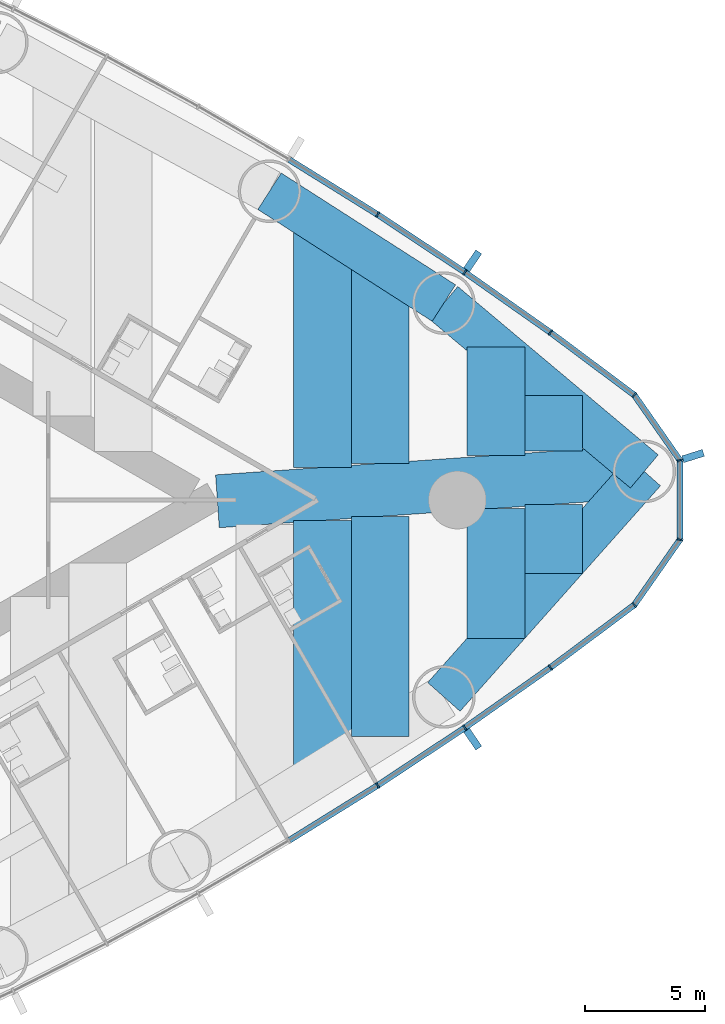
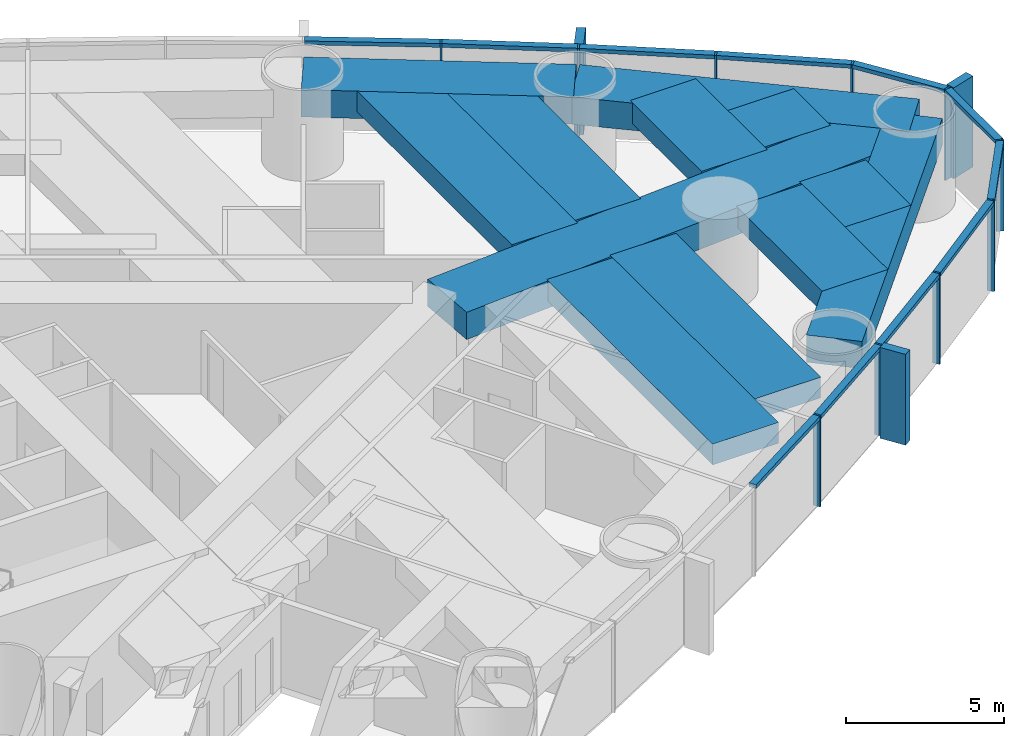
# One storey, part 8 of 18: 24 members, 12 beams, 1 element without a shape of its own.
"""IFC4 building model written with IfcOpenShell, lengths in metres."""

from ifc_helpers import new_model, si_unit, direction, frame, origin, origin_2d, place, context, subcontext, project, spatial, rectangle, extrude, material, material_profile, profile_set, type_object, element, aggregate, save


model = new_model("IFC4")

# Units and contexts
model_context = context("Model", 3, precision=1e-05, world=origin(), true_north=direction((0.0, 1.0)))
body_context = subcontext(model_context, "Body", "Model", "MODEL_VIEW")
ifc_project = project(units=[si_unit("LENGTHUNIT", "METRE"), si_unit("AREAUNIT", "SQUARE_METRE"), si_unit("VOLUMEUNIT", "CUBIC_METRE"), si_unit("PLANEANGLEUNIT", "RADIAN"), si_unit("MASSUNIT", "GRAM", prefix="KILO")], contexts=[model_context])

# Site, building, storey
site_placement = place(None, origin())
site = spatial("IfcSite", under=ifc_project, at=site_placement, CompositionType="ELEMENT")
building_placement = place(site_placement, origin())
building = spatial("IfcBuilding", under=site, at=building_placement, Name="Lancet Gate Hotel", CompositionType="ELEMENT")
storey_placement = place(building_placement, frame((0.0, 0.0, 97.60009765625)))
storey = spatial("IfcBuildingStorey", under=building, at=storey_placement, Name="L25", CompositionType="ELEMENT", Elevation=97.60009765625)

# Curtain wall, members
ifc_material_1 = material(Name="Aluminium curtain wall", Category="aluminium")
curtain_wall_type = type_object("IfcCurtainWallType", Name="Tower unitised curtain wall", PredefinedType="USERDEFINED", material=ifc_material_1)
curtain_wall_placement = place(storey_placement, origin())
curtain_wall = element("IfcCurtainWall", 1, at=curtain_wall_placement, inside=storey, type_object=curtain_wall_type, Name="T2 L25 curtain wall 1", ObjectType="UNITISED CURTAIN WALL", PredefinedType="USERDEFINED")
ifc_material_2 = material(Name="Aluminium mullion", Category="aluminium")
ifc_material_profile_1 = material_profile(ifc_material_2, rectangle(XDim=0.06494140625, YDim=0.25, at=origin_2d()), Name="MULLION 65x250")
ifc_profile_set_1 = profile_set([ifc_material_profile_1], Name="Aluminium mullion")
member_type_1 = type_object("IfcMemberType", Name="Aluminium mullion 65x250", PredefinedType="MULLION", material=ifc_profile_set_1)
member_1_placement = place(storey_placement, frame((58.188720703125, -11.8603515625, 0.0), z_axis=(0.0, 0.0, 1.0), x_axis=(0.841736224144, 0.539888996891, 0.0)))
member_1 = element("IfcMember", 2, at=member_1_placement, type_object=member_type_1, Name="T2 L25 curtain wall 1 mullion 13", PredefinedType="MULLION", context=body_context, shape_type="SweptSolid", body=[
    extrude(rectangle(XDim=0.06494140625, YDim=0.25, at=origin_2d()), origin(), (0.0, 0.0, 1.0), 3.5),
])
member_2_placement = place(storey_placement, frame((61.814208984375, -9.461669921875, 0.0), z_axis=(0.0, 0.0, 1.0), x_axis=(0.826065510491, 0.563574105489, 0.0)))
member_2 = element("IfcMember", 3, at=member_2_placement, type_object=member_type_1, Name="T2 L25 curtain wall 1 mullion 14", PredefinedType="MULLION", context=body_context, shape_type="SweptSolid", body=[
    extrude(rectangle(XDim=0.06494140625, YDim=0.25, at=origin_2d()), origin(), (0.0, 0.0, 1.0), 3.5),
])
member_3_placement = place(storey_placement, frame((65.370361328125, -6.9609375, 0.0), z_axis=(0.0, 0.0, 1.0), x_axis=(0.809728529035, 0.586804660229, 0.0)))
member_3 = element("IfcMember", 4, at=member_3_placement, type_object=member_type_1, Name="T2 L25 curtain wall 1 mullion 15", PredefinedType="MULLION", context=body_context, shape_type="SweptSolid", body=[
    extrude(rectangle(XDim=0.06494140625, YDim=0.25, at=origin_2d()), origin(), (0.0, 0.0, 1.0), 3.5),
])
member_4_placement = place(storey_placement, frame((68.853759765625, -4.360107421875, 0.0), z_axis=(0.0, 0.0, 1.0), x_axis=(0.711610374907, 0.702574319432, 0.0)))
member_4 = element("IfcMember", 5, at=member_4_placement, type_object=member_type_1, Name="T2 L25 curtain wall 1 mullion 16", PredefinedType="MULLION", context=body_context, shape_type="SweptSolid", body=[
    extrude(rectangle(XDim=0.06494140625, YDim=0.25, at=origin_2d()), origin(), (0.0, 0.0, 1.0), 3.5),
])
member_5_placement = place(storey_placement, frame((70.747314453125, -1.652099609375, 0.0), z_axis=(0.0, 0.0, 1.0), x_axis=(0.300384890639, 0.953818073574, 0.0)))
member_5 = element("IfcMember", 6, at=member_5_placement, type_object=member_type_1, Name="T2 L25 curtain wall 1 mullion 17", PredefinedType="MULLION", context=body_context, shape_type="SweptSolid", body=[
    extrude(rectangle(XDim=0.06494140625, YDim=0.25, at=origin_2d()), origin(), (0.0, 0.0, 1.0), 3.5),
])
member_6_placement = place(storey_placement, frame((70.747314453125, 1.652099609375, 0.0), z_axis=(0.0, 0.0, 1.0), x_axis=(-0.300384890639, 0.953818073574, 0.0)))
member_6 = element("IfcMember", 7, at=member_6_placement, type_object=member_type_1, Name="T2 L25 curtain wall 1 mullion 18", PredefinedType="MULLION", context=body_context, shape_type="SweptSolid", body=[
    extrude(rectangle(XDim=0.06494140625, YDim=0.25, at=origin_2d()), origin(), (0.0, 0.0, 1.0), 3.5),
])
member_7_placement = place(storey_placement, frame((68.853759765625, 4.360107421875, 0.0), z_axis=(0.0, 0.0, 1.0), x_axis=(-0.711610374907, 0.702574319432, 0.0)))
member_7 = element("IfcMember", 8, at=member_7_placement, type_object=member_type_1, Name="T2 L25 curtain wall 1 mullion 19", PredefinedType="MULLION", context=body_context, shape_type="SweptSolid", body=[
    extrude(rectangle(XDim=0.06494140625, YDim=0.25, at=origin_2d()), origin(), (0.0, 0.0, 1.0), 3.5),
])
member_8_placement = place(storey_placement, frame((65.370361328125, 6.9609375, 0.0), z_axis=(0.0, 0.0, 1.0), x_axis=(-0.809728529035, 0.586804660229, 0.0)))
member_8 = element("IfcMember", 9, at=member_8_placement, type_object=member_type_1, Name="T2 L25 curtain wall 1 mullion 20", PredefinedType="MULLION", context=body_context, shape_type="SweptSolid", body=[
    extrude(rectangle(XDim=0.06494140625, YDim=0.25, at=origin_2d()), origin(), (0.0, 0.0, 1.0), 3.5),
])
member_9_placement = place(storey_placement, frame((61.814208984375, 9.461669921875, 0.0), z_axis=(0.0, 0.0, 1.0), x_axis=(-0.826065510491, 0.563574105489, 0.0)))
member_9 = element("IfcMember", 10, at=member_9_placement, type_object=member_type_1, Name="T2 L25 curtain wall 1 mullion 21", PredefinedType="MULLION", context=body_context, shape_type="SweptSolid", body=[
    extrude(rectangle(XDim=0.06494140625, YDim=0.25, at=origin_2d()), origin(), (0.0, 0.0, 1.0), 3.5),
])
member_10_placement = place(storey_placement, frame((58.188720703125, 11.8603515625, 0.0), z_axis=(0.0, 0.0, 1.0), x_axis=(-0.841736224144, 0.539888996891, 0.0)))
member_10 = element("IfcMember", 11, at=member_10_placement, type_object=member_type_1, Name="T2 L25 curtain wall 1 mullion 22", PredefinedType="MULLION", context=body_context, shape_type="SweptSolid", body=[
    extrude(rectangle(XDim=0.06494140625, YDim=0.25, at=origin_2d()), origin(), (0.0, 0.0, 1.0), 3.5),
])
ifc_material_3 = material(Name="Aluminium transom", Category="aluminium")
ifc_material_profile_2 = material_profile(ifc_material_3, rectangle(XDim=0.25, YDim=0.14990234375, at=origin_2d()), Name="TRANSOM 250x150")
ifc_profile_set_2 = profile_set([ifc_material_profile_2], Name="Aluminium transom")
member_type_2 = type_object("IfcMemberType", Name="Aluminium transom 250x150", PredefinedType="USERDEFINED", material=ifc_profile_set_2)
member_11_placement = place(storey_placement, frame((54.52392578125, -14.13818359375, 3.4248046875), z_axis=(0.849308812566, 0.527896335371, 0.0), x_axis=(-0.527896335371, 0.849308812566, 0.0)))
member_11 = element("IfcMember", 12, at=member_11_placement, type_object=member_type_2, Name="T2 L25 curtain wall 1 transom 12", ObjectType="TRANSOM", PredefinedType="USERDEFINED", context=body_context, shape_type="SweptSolid", body=[
    extrude(rectangle(XDim=0.25, YDim=0.14990234375, at=origin_2d()), origin(), (0.0, 0.0, 1.0), 4.282470703125),
])
member_12_placement = place(storey_placement, frame((58.2158203125, -11.842529296875, 3.4248046875), z_axis=(0.833966159038, 0.551815590192, 0.0), x_axis=(-0.551815590192, 0.833966159038, 0.0)))
member_12 = element("IfcMember", 13, at=member_12_placement, type_object=member_type_2, Name="T2 L25 curtain wall 1 transom 13", ObjectType="TRANSOM", PredefinedType="USERDEFINED", context=body_context, shape_type="SweptSolid", body=[
    extrude(rectangle(XDim=0.25, YDim=0.14990234375, at=origin_2d()), origin(), (0.0, 0.0, 1.0), 4.2822265625),
])
member_13_placement = place(storey_placement, frame((61.8408203125, -9.44287109375, 3.4248046875), z_axis=(0.817987243547, 0.57523635959, 0.0), x_axis=(-0.57523635959, 0.817987243547, 0.0)))
member_13 = element("IfcMember", 14, at=member_13_placement, type_object=member_type_2, Name="T2 L25 curtain wall 1 transom 14", ObjectType="TRANSOM", PredefinedType="USERDEFINED", context=body_context, shape_type="SweptSolid", body=[
    extrude(rectangle(XDim=0.25, YDim=0.14990234375, at=origin_2d()), origin(), (0.0, 0.0, 1.0), 4.282470703125),
])
member_14_placement = place(storey_placement, frame((65.396240234375, -6.94140625, 3.4248046875), z_axis=(0.801311559064, 0.598247261014, 0.0), x_axis=(-0.598247261014, 0.801311559064, 0.0)))
member_14 = element("IfcMember", 15, at=member_14_placement, type_object=member_type_2, Name="T2 L25 curtain wall 1 transom 15", ObjectType="TRANSOM", PredefinedType="USERDEFINED", context=body_context, shape_type="SweptSolid", body=[
    extrude(rectangle(XDim=0.25, YDim=0.14990234375, at=origin_2d()), origin(), (0.0, 0.0, 1.0), 4.282470703125),
])
member_15_placement = place(storey_placement, frame((68.87255859375, -4.33349609375, 3.4248046875), z_axis=(0.573017137751, 0.819543384967, 0.0), x_axis=(-0.819543384967, 0.573017137751, 0.0)))
member_15 = element("IfcMember", 16, at=member_15_placement, type_object=member_type_2, Name="T2 L25 curtain wall 1 transom 16", ObjectType="TRANSOM", PredefinedType="USERDEFINED", context=body_context, shape_type="SweptSolid", body=[
    extrude(rectangle(XDim=0.25, YDim=0.14990234375, at=origin_2d()), origin(), (0.0, 0.0, 1.0), 3.2392578125),
])
member_16_placement = place(storey_placement, frame((70.747314453125, -1.61962890625, 3.4248046875), z_axis=(0.0, 1.0, 0.0), x_axis=(-1.0, 0.0, 0.0)))
member_16 = element("IfcMember", 17, at=member_16_placement, type_object=member_type_2, Name="T2 L25 curtain wall 1 transom 17", ObjectType="TRANSOM", PredefinedType="USERDEFINED", context=body_context, shape_type="SweptSolid", body=[
    extrude(rectangle(XDim=0.25, YDim=0.14990234375, at=origin_2d()), origin(), (0.0, 0.0, 1.0), 3.2392578125),
])
member_17_placement = place(storey_placement, frame((70.728759765625, 1.6787109375, 3.4248046875), z_axis=(-0.573017137751, 0.819543384967, 0.0), x_axis=(-0.819543384967, -0.573017137751, 0.0)))
member_17 = element("IfcMember", 18, at=member_17_placement, type_object=member_type_2, Name="T2 L25 curtain wall 1 transom 18", ObjectType="TRANSOM", PredefinedType="USERDEFINED", context=body_context, shape_type="SweptSolid", body=[
    extrude(rectangle(XDim=0.25, YDim=0.14990234375, at=origin_2d()), origin(), (0.0, 0.0, 1.0), 3.2392578125),
])
member_18_placement = place(storey_placement, frame((68.827880859375, 4.37939453125, 3.4248046875), z_axis=(-0.801311559064, 0.598247261014, 0.0), x_axis=(-0.598247261014, -0.801311559064, 0.0)))
member_18 = element("IfcMember", 19, at=member_18_placement, type_object=member_type_2, Name="T2 L25 curtain wall 1 transom 19", ObjectType="TRANSOM", PredefinedType="USERDEFINED", context=body_context, shape_type="SweptSolid", body=[
    extrude(rectangle(XDim=0.25, YDim=0.14990234375, at=origin_2d()), origin(), (0.0, 0.0, 1.0), 4.282470703125),
])
member_19_placement = place(storey_placement, frame((65.34375, 6.9794921875, 3.4248046875), z_axis=(-0.817987243547, 0.57523635959, 0.0), x_axis=(-0.57523635959, -0.817987243547, 0.0)))
member_19 = element("IfcMember", 20, at=member_19_placement, type_object=member_type_2, Name="T2 L25 curtain wall 1 transom 20", ObjectType="TRANSOM", PredefinedType="USERDEFINED", context=body_context, shape_type="SweptSolid", body=[
    extrude(rectangle(XDim=0.25, YDim=0.14990234375, at=origin_2d()), origin(), (0.0, 0.0, 1.0), 4.282470703125),
])
member_20_placement = place(storey_placement, frame((61.787109375, 9.4794921875, 3.4248046875), z_axis=(-0.833966159038, 0.551815590192, 0.0), x_axis=(-0.551815590192, -0.833966159038, 0.0)))
member_20 = element("IfcMember", 21, at=member_20_placement, type_object=member_type_2, Name="T2 L25 curtain wall 1 transom 21", ObjectType="TRANSOM", PredefinedType="USERDEFINED", context=body_context, shape_type="SweptSolid", body=[
    extrude(rectangle(XDim=0.25, YDim=0.14990234375, at=origin_2d()), origin(), (0.0, 0.0, 1.0), 4.2822265625),
])
member_21_placement = place(storey_placement, frame((58.1611328125, 11.87744140625, 3.4248046875), z_axis=(-0.849308812566, 0.527896335371, 0.0), x_axis=(-0.527896335371, -0.849308812566, 0.0)))
member_21 = element("IfcMember", 22, at=member_21_placement, type_object=member_type_2, Name="T2 L25 curtain wall 1 transom 22", ObjectType="TRANSOM", PredefinedType="USERDEFINED", context=body_context, shape_type="SweptSolid", body=[
    extrude(rectangle(XDim=0.25, YDim=0.14990234375, at=origin_2d()), origin(), (0.0, 0.0, 1.0), 4.282470703125),
])

# Beams
ifc_material_4 = material(Name="Concrete C50/60", Category="concrete")
ifc_material_profile_3 = material_profile(ifc_material_4, rectangle(XDim=1.800048828125, YDim=1.050048828125, at=origin_2d()), Name="RC 1800x1050")
ifc_profile_set_3 = profile_set([ifc_material_profile_3], Name="Concrete C50/60")
beam_type_1 = type_object("IfcBeamType", Name="Edge beam RC 1800x1050", PredefinedType="SPANDREL", material=ifc_profile_set_3)
beam_1_placement = place(storey_placement, frame((60.940673828125, -8.18115234375, 2.724853515625), z_axis=(0.664421866815, 0.74735773422, 0.0), x_axis=(-0.74735773422, 0.664421866815, 0.0)))
element("IfcBeam", 23, at=beam_1_placement, inside=storey, type_object=beam_type_1, Name="T2 edge beam EB1 L25", PredefinedType="SPANDREL", context=body_context, shape_type="SweptSolid", body=[
    extrude(rectangle(XDim=1.800048828125, YDim=1.050048828125, at=origin_2d()), origin(), (0.0, 0.0, 1.0), 12.534423828125),
])
beam_2_placement = place(storey_placement, frame((69.268798828125, 1.1865234375, 2.724853515625), z_axis=(-0.765749969712, 0.643138386264, 0.0), x_axis=(-0.643138386264, -0.765749969712, 0.0)))
element("IfcBeam", 24, at=beam_2_placement, inside=storey, type_object=beam_type_1, Name="T2 edge beam EB1 L25", PredefinedType="SPANDREL", context=body_context, shape_type="SweptSolid", body=[
    extrude(rectangle(XDim=1.800048828125, YDim=1.050048828125, at=origin_2d()), origin(), (0.0, 0.0, 1.0), 10.875732421875),
])
beam_3_placement = place(storey_placement, frame((60.940673828125, 8.18115234375, 2.724853515625), z_axis=(-0.841727408736, 0.539902740669, 0.0), x_axis=(-0.539902740669, -0.841727408736, 0.0)))
element("IfcBeam", 25, at=beam_3_placement, inside=storey, type_object=beam_type_1, Name="T2 edge beam EB1 L25", PredefinedType="SPANDREL", context=body_context, shape_type="SweptSolid", body=[
    extrude(rectangle(XDim=1.800048828125, YDim=1.050048828125, at=origin_2d()), origin(), (0.0, 0.0, 1.0), 8.605712890625),
])

# Member
ifc_material_5 = material(Name="Precast concrete C50/60", Category="concrete")
ifc_material_profile_4 = material_profile(ifc_material_5, rectangle(XDim=0.300048828125, YDim=0.89990234375, at=origin_2d()), Name="FIN 300x900")
ifc_profile_set_4 = profile_set([ifc_material_profile_4], Name="Precast concrete C50/60")
member_type_3 = type_object("IfcMemberType", Name="Exposed concrete fin 300x900", PredefinedType="USERDEFINED", material=ifc_profile_set_4)
member_22_placement = place(storey_placement, frame((62.138427734375, -9.9365234375, 0.0), z_axis=(0.0, 0.0, 1.0), x_axis=(0.826065510491, 0.563574105489, 0.0)))
member_22 = element("IfcMember", 26, at=member_22_placement, type_object=member_type_3, Name="T2 L25 curtain wall 1 fin 14", ObjectType="FIN", PredefinedType="USERDEFINED", context=body_context, shape_type="SweptSolid", body=[
    extrude(rectangle(XDim=0.300048828125, YDim=0.89990234375, at=origin_2d()), origin(), (0.0, 0.0, 1.0), 3.5),
])

member_23_placement = place(storey_placement, frame((71.295654296875, 1.824951171875, 0.0), z_axis=(0.0, 0.0, 1.0), x_axis=(-0.300384890639, 0.953818073574, 0.0)))
member_23 = element("IfcMember", 27, at=member_23_placement, type_object=member_type_3, Name="T2 L25 curtain wall 1 fin 18", ObjectType="FIN", PredefinedType="USERDEFINED", context=body_context, shape_type="SweptSolid", body=[
    extrude(rectangle(XDim=0.300048828125, YDim=0.89990234375, at=origin_2d()), origin(), (0.0, 0.0, 1.0), 3.5),
])

member_24_placement = place(storey_placement, frame((62.138427734375, 9.9365234375, 0.0), z_axis=(0.0, 0.0, 1.0), x_axis=(-0.826065510491, 0.563574105489, 0.0)))
member_24 = element("IfcMember", 28, at=member_24_placement, type_object=member_type_3, Name="T2 L25 curtain wall 1 fin 21", ObjectType="FIN", PredefinedType="USERDEFINED", context=body_context, shape_type="SweptSolid", body=[
    extrude(rectangle(XDim=0.300048828125, YDim=0.89990234375, at=origin_2d()), origin(), (0.0, 0.0, 1.0), 3.5),
])

aggregate(curtain_wall, [member_1, member_2, member_22, member_3, member_4, member_5, member_6, member_23, member_7, member_8, member_9, member_24, member_10, member_11, member_12, member_13, member_14, member_15, member_16, member_17, member_18, member_19, member_20, member_21])

# Beams
ifc_material_6 = material(Name="Concrete C50/60", Category="concrete")
ifc_material_profile_5 = material_profile(ifc_material_6, rectangle(XDim=2.39990234375, YDim=0.800048828125, at=origin_2d()), Name="RC 2400x800")
ifc_profile_set_5 = profile_set([ifc_material_profile_5], Name="Concrete C50/60")
beam_type_2 = type_object("IfcBeamType", Name="Floor beam RC 2400x800", PredefinedType="BEAM", material=ifc_profile_set_5)
beam_4_placement = place(storey_placement, frame((55.90234375, -11.312744140625, 2.849853515625), z_axis=(0.0, 1.0, 0.0), x_axis=(-1.0, 0.0, 0.0)))
element("IfcBeam", 29, at=beam_4_placement, inside=storey, type_object=beam_type_2, Name="T2 floor beam F14S L25", PredefinedType="BEAM", context=body_context, shape_type="SweptSolid", body=[
    extrude(rectangle(XDim=2.39990234375, YDim=0.800048828125, at=origin_2d()), origin(), (0.0, 0.0, 1.0), 10.4619140625),
])
beam_5_placement = place(storey_placement, frame((55.90234375, 1.3544921875, 2.849853515625), z_axis=(0.0, 1.0, 0.0), x_axis=(-1.0, 0.0, 0.0)))
element("IfcBeam", 30, at=beam_5_placement, inside=storey, type_object=beam_type_2, Name="T2 floor beam F15N L25", PredefinedType="BEAM", context=body_context, shape_type="SweptSolid", body=[
    extrude(rectangle(XDim=2.39990234375, YDim=0.800048828125, at=origin_2d()), origin(), (0.0, 0.0, 1.0), 10.058349609375),
])
beam_6_placement = place(storey_placement, frame((58.30224609375, -9.821044921875, 2.849853515625), z_axis=(0.0, 1.0, 0.0), x_axis=(-1.0, 0.0, 0.0)))
element("IfcBeam", 31, at=beam_6_placement, inside=storey, type_object=beam_type_2, Name="T2 floor beam F16S L25", PredefinedType="BEAM", context=body_context, shape_type="SweptSolid", body=[
    extrude(rectangle(XDim=2.39990234375, YDim=0.800048828125, at=origin_2d()), origin(), (0.0, 0.0, 1.0), 9.137939453125),
])
beam_7_placement = place(storey_placement, frame((58.30224609375, 1.522216796875, 2.849853515625), z_axis=(0.0, 1.0, 0.0), x_axis=(-1.0, 0.0, 0.0)))
element("IfcBeam", 32, at=beam_7_placement, inside=storey, type_object=beam_type_2, Name="T2 floor beam F17N L25", PredefinedType="BEAM", context=body_context, shape_type="SweptSolid", body=[
    extrude(rectangle(XDim=2.39990234375, YDim=0.800048828125, at=origin_2d()), origin(), (0.0, 0.0, 1.0), 8.351318359375),
])
beam_8_placement = place(storey_placement, frame((63.102294921875, -5.75, 2.849853515625), z_axis=(0.0, 1.0, 0.0), x_axis=(-1.0, 0.0, 0.0)))
element("IfcBeam", 33, at=beam_8_placement, inside=storey, type_object=beam_type_2, Name="T2 floor beam F18S L25", PredefinedType="BEAM", context=body_context, shape_type="SweptSolid", body=[
    extrude(rectangle(XDim=2.39990234375, YDim=0.800048828125, at=origin_2d()), origin(), (0.0, 0.0, 1.0), 5.402587890625),
])
beam_9_placement = place(storey_placement, frame((63.102294921875, 1.85791015625, 2.849853515625), z_axis=(0.0, 1.0, 0.0), x_axis=(-1.0, 0.0, 0.0)))
element("IfcBeam", 34, at=beam_9_placement, inside=storey, type_object=beam_type_2, Name="T2 floor beam F19N L25", PredefinedType="BEAM", context=body_context, shape_type="SweptSolid", body=[
    extrude(rectangle(XDim=2.39990234375, YDim=0.800048828125, at=origin_2d()), origin(), (0.0, 0.0, 1.0), 4.5078125),
])
beam_10_placement = place(storey_placement, frame((65.502197265625, -3.05029296875, 2.849853515625), z_axis=(0.0, 1.0, 0.0), x_axis=(-1.0, 0.0, 0.0)))
element("IfcBeam", 35, at=beam_10_placement, inside=storey, type_object=beam_type_2, Name="T2 floor beam F20S L25", PredefinedType="BEAM", context=body_context, shape_type="SweptSolid", body=[
    extrude(rectangle(XDim=2.39990234375, YDim=0.800048828125, at=origin_2d()), origin(), (0.0, 0.0, 1.0), 2.87060546875),
])
beam_11_placement = place(storey_placement, frame((65.502197265625, 2.02587890625, 2.849853515625), z_axis=(0.0, 1.0, 0.0), x_axis=(-1.0, 0.0, 0.0)))
element("IfcBeam", 36, at=beam_11_placement, inside=storey, type_object=beam_type_2, Name="T2 floor beam F21N L25", PredefinedType="BEAM", context=body_context, shape_type="SweptSolid", body=[
    extrude(rectangle(XDim=2.39990234375, YDim=0.800048828125, at=origin_2d()), origin(), (0.0, 0.0, 1.0), 2.32421875),
])
ifc_material_7 = material(Name="Concrete C50/60", Category="concrete")
ifc_material_profile_6 = material_profile(ifc_material_7, rectangle(XDim=2.199951171875, YDim=1.050048828125, at=origin_2d()), Name="RC 2200x1050")
ifc_profile_set_6 = profile_set([ifc_material_profile_6], Name="Concrete C50/60")
beam_type_3 = type_object("IfcBeamType", Name="Radial floor beam RC 2200x1050", PredefinedType="BEAM", material=ifc_profile_set_6)
beam_12_placement = place(storey_placement, frame((69.268798828125, 1.1865234375, 2.724853515625), z_axis=(-0.99756389092, -0.069758752369, 0.0), x_axis=(0.069758752369, -0.99756389092, 0.0)))
element("IfcBeam", 37, at=beam_12_placement, inside=storey, type_object=beam_type_3, Name="T2 radial beam CA L25", PredefinedType="BEAM", context=body_context, shape_type="SweptSolid", body=[
    extrude(rectangle(XDim=2.199951171875, YDim=1.050048828125, at=origin_2d()), origin(), (0.0, 0.0, 1.0), 17.77880859375),
])

save(model, "model.ifc")
